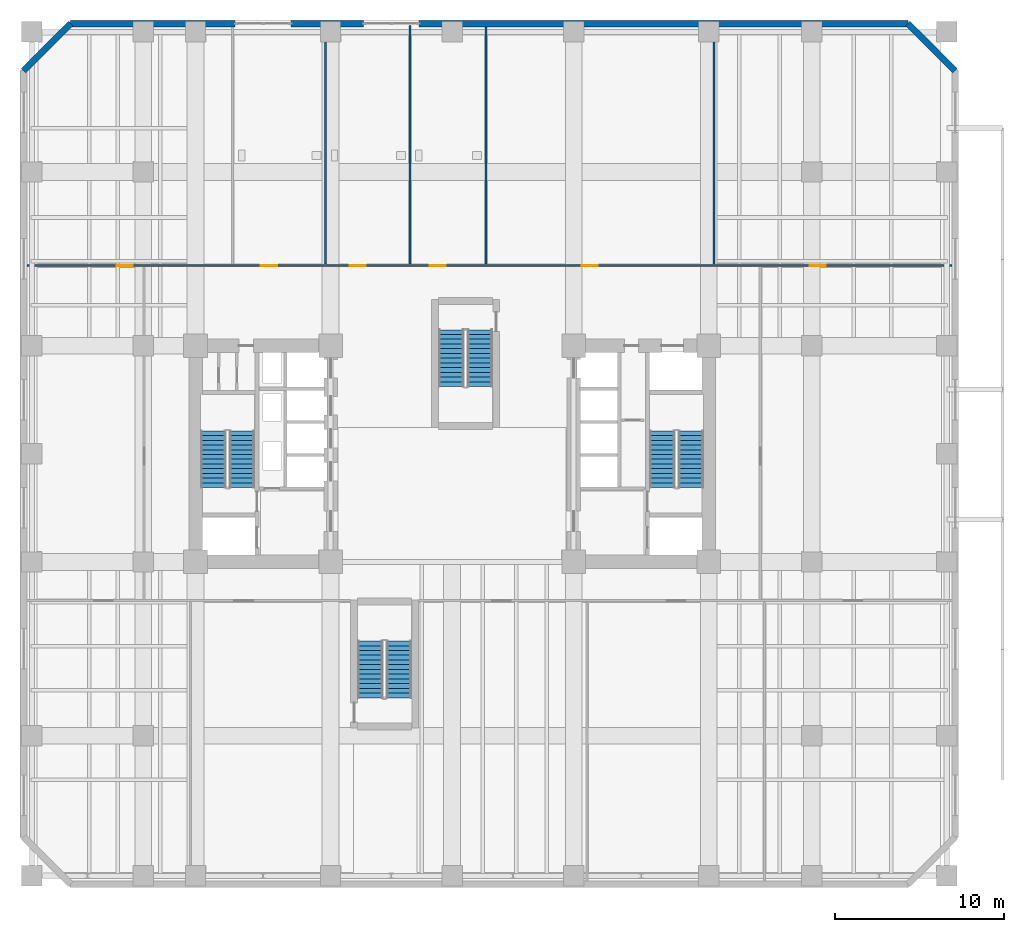
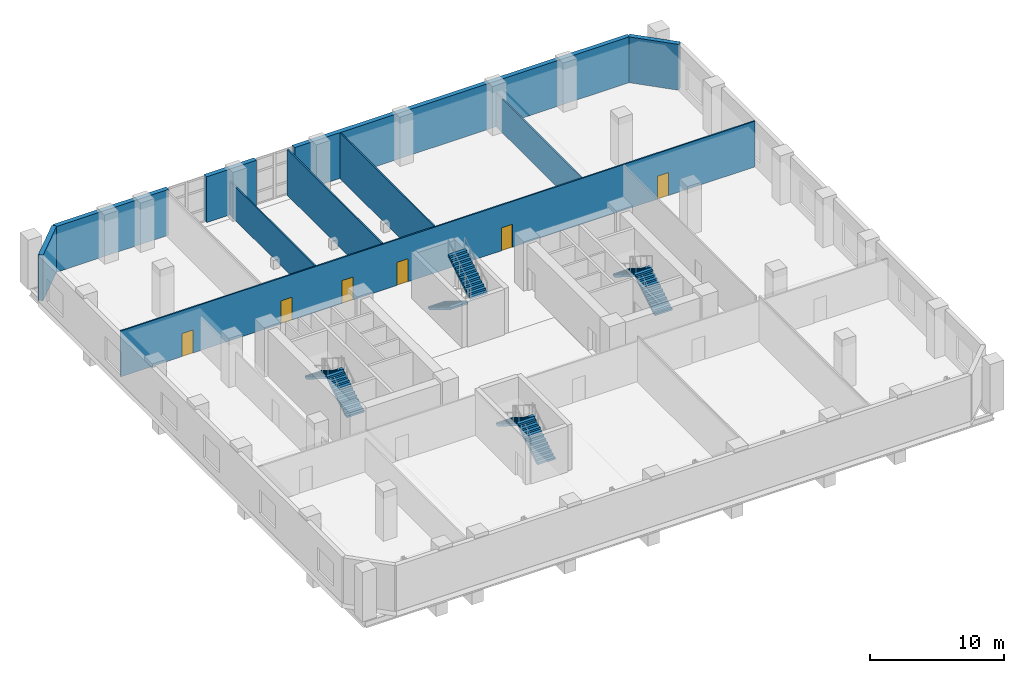
# One storey, part 9 of 15: 10 walls, 8 stair flights, 6 doors, 6 openings, 4 elements without a shape of their own.
"""IFC4 building model written with IfcOpenShell, lengths in metres."""

from ifc_helpers import new_model, si_unit, direction, frame, frame_2d, origin, place, context, subcontext, project, spatial, polyline, rectangle, outline, extrude, material, layer, layer_set, type_object, element, fill, aggregate, save


model = new_model("IFC4")

# Units and contexts
model_context = context("Model", 3, precision=1e-05, world=origin(), true_north=direction((0.0, 1.0)))
body_context = subcontext(model_context, "Body", "Model", "MODEL_VIEW")
ifc_project = project(units=[si_unit("LENGTHUNIT", "METRE"), si_unit("AREAUNIT", "SQUARE_METRE"), si_unit("VOLUMEUNIT", "CUBIC_METRE"), si_unit("PLANEANGLEUNIT", "RADIAN"), si_unit("MASSUNIT", "GRAM", prefix="KILO")], contexts=[model_context])

# Site, building, storey
site_placement = place(None, origin())
site = spatial("IfcSite", under=ifc_project, at=site_placement, CompositionType="ELEMENT")
building_placement = place(site_placement, origin())
building = spatial("IfcBuilding", under=site, at=building_placement, Name="Kranthara Brick Stack", CompositionType="ELEMENT")
storey_placement = place(building_placement, frame((0.0, 0.0, 5.39990234375)))
storey = spatial("IfcBuildingStorey", under=building, at=storey_placement, Name="L01", CompositionType="ELEMENT", Elevation=5.39990234375)

# Walls
ifc_material_1 = material(Name="Kiln-fired clay brick masonry M15", Category="masonry")
ifc_layer_1 = layer(ifc_material_1, 0.3798828125)
ifc_layer_set_1 = layer_set([ifc_layer_1], Name="Kiln-fired clay brick masonry M15")
wall_type_1 = type_object("IfcWallType", Name="WL-BRK-PIER-380", PredefinedType="STANDARD", material=ifc_layer_set_1)
wall_1_placement = place(storey_placement, frame((2.610107421875, 49.89990234375, 0.0), z_axis=(0.0, 0.0, 1.0), x_axis=(0.707075841688, 0.707137719332, 0.0)))
element("IfcWall", 1, at=wall_1_placement, inside=storey, type_object=wall_type_1, Name="L01 Exterior Brick Facade Wall NW 1", PredefinedType="STANDARD", context=body_context, shape_type="SweptSolid", body=[
    extrude(rectangle(XDim=3.945556640625, YDim=0.3798828125, at=frame_2d((1.97265625, 0.0))), origin(), (0.0, 0.0, 1.0), 4.18017578125),
])
wall_2_placement = place(storey_placement, frame((5.39990234375, 52.68994140625, 0.0), z_axis=(0.0, 0.0, 1.0), x_axis=(1.0, 0.0, 0.0)))
element("IfcWall", 2, at=wall_2_placement, inside=storey, type_object=wall_type_1, Name="L01 Exterior Brick Facade Wall NORTH 1", PredefinedType="STANDARD", context=body_context, shape_type="SweptSolid", body=[
    extrude(rectangle(XDim=9.75, YDim=0.3798828125, at=frame_2d((4.875, 0.0))), origin(), (0.0, 0.0, 1.0), 4.18017578125),
])
wall_3_placement = place(storey_placement, frame((18.449951171875, 52.68994140625, 0.0), z_axis=(0.0, 0.0, 1.0), x_axis=(1.0, 0.0, 0.0)))
element("IfcWall", 3, at=wall_3_placement, inside=storey, type_object=wall_type_1, Name="L01 Exterior Brick Facade Wall NORTH 2", PredefinedType="STANDARD", context=body_context, shape_type="SweptSolid", body=[
    extrude(rectangle(XDim=4.300048828125, YDim=0.3798828125, at=frame_2d((2.14990234375, 0.0))), origin(), (0.0, 0.0, 1.0), 4.18017578125),
])
wall_4_placement = place(storey_placement, frame((26.050048828125, 52.68994140625, 0.0), z_axis=(0.0, 0.0, 1.0), x_axis=(1.0, 0.0, 0.0)))
element("IfcWall", 4, at=wall_4_placement, inside=storey, type_object=wall_type_1, Name="L01 Exterior Brick Facade Wall NORTH 3", PredefinedType="STANDARD", context=body_context, shape_type="SweptSolid", body=[
    extrude(rectangle(XDim=28.949951171875, YDim=0.3798828125, at=frame_2d((14.47509765625, 0.0))), origin(), (0.0, 0.0, 1.0), 4.18017578125),
])
wall_5_placement = place(storey_placement, frame((55.0, 52.68994140625, 0.0), z_axis=(0.0, 0.0, 1.0), x_axis=(0.707106781187, -0.707106781187, 0.0)))
element("IfcWall", 5, at=wall_5_placement, inside=storey, type_object=wall_type_1, Name="L01 Exterior Brick Facade Wall NE 1", PredefinedType="STANDARD", context=body_context, shape_type="SweptSolid", body=[
    extrude(rectangle(XDim=3.94580078125, YDim=0.3798828125, at=frame_2d((1.972900390625, 0.0))), origin(), (0.0, 0.0, 1.0), 4.18017578125),
])

# Wall, openings, doors
ifc_material_2 = material(Name="Acoustic gypsum plasterboard partition", Category="other")
ifc_layer_2 = layer(ifc_material_2, 0.1201171875)
ifc_layer_set_2 = layer_set([ifc_layer_2], Name="Acoustic gypsum plasterboard partition")
wall_type_2 = type_object("IfcWallType", Name="WL-PART-120", PredefinedType="PARTITIONING", material=ifc_layer_set_2)
wall_6_placement = place(storey_placement, frame((2.804931640625, 38.35009765625, 0.0), z_axis=(0.0, 0.0, 1.0), x_axis=(1.0, 0.0, 0.0)))
wall_6 = element("IfcWall", 6, at=wall_6_placement, inside=storey, type_object=wall_type_2, Name="L01 Interior Partition 009", PredefinedType="PARTITIONING", context=body_context, shape_type="SweptSolid", body=[
    extrude(rectangle(XDim=54.7900390625, YDim=0.1201171875, at=frame_2d((27.39501953125, 0.0))), origin(), (0.0, 0.0, 1.0), 4.18017578125),
])
opening_1_placement = place(wall_6_placement, frame((5.320068359375, 0.0, 0.0)))
opening_1 = element("IfcOpeningElement", 7, at=opening_1_placement, cuts=wall_6, Name="Opening D14", PredefinedType="OPENING", context=body_context, shape_type="SweptSolid", body=[
    extrude(rectangle(XDim=0.949951171875, YDim=2.10009765625, at=frame_2d((0.47509765625, 1.050048828125))), frame((0.0, 0.070068359375, 0.0), z_axis=(0.0, -1.0, 0.0), x_axis=(1.0, 0.0, 0.0)), (0.0, 0.0, 1.0), 0.14013671875),
])
opening_2_placement = place(wall_6_placement, frame((13.8701171875, 0.0, 0.0)))
opening_2 = element("IfcOpeningElement", 8, at=opening_2_placement, cuts=wall_6, Name="Opening D14", PredefinedType="OPENING", context=body_context, shape_type="SweptSolid", body=[
    extrude(rectangle(XDim=0.949951171875, YDim=2.10009765625, at=frame_2d((0.47509765625, 1.050048828125))), frame((0.0, 0.070068359375, 0.0), z_axis=(0.0, -1.0, 0.0), x_axis=(1.0, 0.0, 0.0)), (0.0, 0.0, 1.0), 0.14013671875),
])
opening_3_placement = place(wall_6_placement, frame((19.1201171875, 0.0, 0.0)))
opening_3 = element("IfcOpeningElement", 9, at=opening_3_placement, cuts=wall_6, Name="Opening D14", PredefinedType="OPENING", context=body_context, shape_type="SweptSolid", body=[
    extrude(rectangle(XDim=0.949951171875, YDim=2.10009765625, at=frame_2d((0.47509765625, 1.050048828125))), frame((0.0, 0.070068359375, 0.0), z_axis=(0.0, -1.0, 0.0), x_axis=(1.0, 0.0, 0.0)), (0.0, 0.0, 1.0), 0.14013671875),
])
opening_4_placement = place(wall_6_placement, frame((23.8701171875, 0.0, 0.0)))
opening_4 = element("IfcOpeningElement", 10, at=opening_4_placement, cuts=wall_6, Name="Opening D14", PredefinedType="OPENING", context=body_context, shape_type="SweptSolid", body=[
    extrude(rectangle(XDim=0.949951171875, YDim=2.10009765625, at=frame_2d((0.47509765625, 1.050048828125))), frame((0.0, 0.070068359375, 0.0), z_axis=(0.0, -1.0, 0.0), x_axis=(1.0, 0.0, 0.0)), (0.0, 0.0, 1.0), 0.14013671875),
])
opening_5_placement = place(wall_6_placement, frame((32.8701171875, 0.0, 0.0)))
opening_5 = element("IfcOpeningElement", 11, at=opening_5_placement, cuts=wall_6, Name="Opening D14", PredefinedType="OPENING", context=body_context, shape_type="SweptSolid", body=[
    extrude(rectangle(XDim=0.949951171875, YDim=2.10009765625, at=frame_2d((0.47509765625, 1.050048828125))), frame((0.0, 0.070068359375, 0.0), z_axis=(0.0, -1.0, 0.0), x_axis=(1.0, 0.0, 0.0)), (0.0, 0.0, 1.0), 0.14013671875),
])
opening_6_placement = place(wall_6_placement, frame((46.3701171875, 0.0, 0.0)))
opening_6 = element("IfcOpeningElement", 12, at=opening_6_placement, cuts=wall_6, Name="Opening D14", PredefinedType="OPENING", context=body_context, shape_type="SweptSolid", body=[
    extrude(rectangle(XDim=0.949951171875, YDim=2.10009765625, at=frame_2d((0.47509765625, 1.050048828125))), frame((0.0, 0.070068359375, 0.0), z_axis=(0.0, -1.0, 0.0), x_axis=(1.0, 0.0, 0.0)), (0.0, 0.0, 1.0), 0.14013671875),
])
ifc_material_3 = material(Name="Solid-core hardwood timber leaf in steel frame", Category="steel")
door_type = type_object("IfcDoorType", Name="DR-INT-950", OperationType="NOTDEFINED", PredefinedType="DOOR", material=ifc_material_3)
door_1_placement = place(opening_1_placement, origin())
door_1 = element("IfcDoor", 13, at=door_1_placement, inside=storey, type_object=door_type, Name="L01 Co-Working Open Workspace 09", OperationType="SINGLE_SWING_LEFT", OverallHeight=2.10009765625, OverallWidth=0.949951171875, PredefinedType="DOOR", context=body_context, shape_type="SweptSolid", body=[
    extrude(rectangle(XDim=0.949951171875, YDim=2.10009765625, at=frame_2d((0.47509765625, 1.050048828125))), frame((0.0, 0.02490234375, 0.0), z_axis=(0.0, -1.0, 0.0), x_axis=(1.0, 0.0, 0.0)), (0.0, 0.0, 1.0), 0.050048828125),
])
fill(opening_1, door_1)
door_2_placement = place(opening_2_placement, origin())
door_2 = element("IfcDoor", 14, at=door_2_placement, inside=storey, type_object=door_type, Name="L01 Male Restroom WC 10", OperationType="SINGLE_SWING_RIGHT", OverallHeight=2.10009765625, OverallWidth=0.949951171875, PredefinedType="DOOR", context=body_context, shape_type="SweptSolid", body=[
    extrude(rectangle(XDim=0.949951171875, YDim=2.10009765625, at=frame_2d((0.47509765625, 1.050048828125))), frame((0.0, 0.02490234375, 0.0), z_axis=(0.0, -1.0, 0.0), x_axis=(1.0, 0.0, 0.0)), (0.0, 0.0, 1.0), 0.050048828125),
])
fill(opening_2, door_2)
door_3_placement = place(opening_3_placement, origin())
door_3 = element("IfcDoor", 15, at=door_3_placement, inside=storey, type_object=door_type, Name="L01 Female Restroom WC 11", OperationType="SINGLE_SWING_LEFT", OverallHeight=2.10009765625, OverallWidth=0.949951171875, PredefinedType="DOOR", context=body_context, shape_type="SweptSolid", body=[
    extrude(rectangle(XDim=0.949951171875, YDim=2.10009765625, at=frame_2d((0.47509765625, 1.050048828125))), frame((0.0, 0.02490234375, 0.0), z_axis=(0.0, -1.0, 0.0), x_axis=(1.0, 0.0, 0.0)), (0.0, 0.0, 1.0), 0.050048828125),
])
fill(opening_3, door_3)
door_4_placement = place(opening_4_placement, origin())
door_4 = element("IfcDoor", 16, at=door_4_placement, inside=storey, type_object=door_type, Name="L01 Accessible Restroom WC 12", OperationType="SINGLE_SWING_RIGHT", OverallHeight=2.10009765625, OverallWidth=0.949951171875, PredefinedType="DOOR", context=body_context, shape_type="SweptSolid", body=[
    extrude(rectangle(XDim=0.949951171875, YDim=2.10009765625, at=frame_2d((0.47509765625, 1.050048828125))), frame((0.0, 0.02490234375, 0.0), z_axis=(0.0, -1.0, 0.0), x_axis=(1.0, 0.0, 0.0)), (0.0, 0.0, 1.0), 0.050048828125),
])
fill(opening_4, door_4)
door_5_placement = place(opening_5_placement, origin())
door_5 = element("IfcDoor", 17, at=door_5_placement, inside=storey, type_object=door_type, Name="L01 Business Cafe Pantry 13", OperationType="SINGLE_SWING_LEFT", OverallHeight=2.10009765625, OverallWidth=0.949951171875, PredefinedType="DOOR", context=body_context, shape_type="SweptSolid", body=[
    extrude(rectangle(XDim=0.949951171875, YDim=2.10009765625, at=frame_2d((0.47509765625, 1.050048828125))), frame((0.0, 0.02490234375, 0.0), z_axis=(0.0, -1.0, 0.0), x_axis=(1.0, 0.0, 0.0)), (0.0, 0.0, 1.0), 0.050048828125),
])
fill(opening_5, door_5)
door_6_placement = place(opening_6_placement, origin())
door_6 = element("IfcDoor", 18, at=door_6_placement, inside=storey, type_object=door_type, Name="L01 Innovation Studio 14", OperationType="SINGLE_SWING_RIGHT", OverallHeight=2.10009765625, OverallWidth=0.949951171875, PredefinedType="DOOR", context=body_context, shape_type="SweptSolid", body=[
    extrude(rectangle(XDim=0.949951171875, YDim=2.10009765625, at=frame_2d((0.47509765625, 1.050048828125))), frame((0.0, 0.02490234375, 0.0), z_axis=(0.0, -1.0, 0.0), x_axis=(1.0, 0.0, 0.0)), (0.0, 0.0, 1.0), 0.050048828125),
])
fill(opening_6, door_6)

# Walls
wall_7_placement = place(storey_placement, frame((20.5, 38.449951171875, 0.0), z_axis=(0.0, 0.0, 1.0), x_axis=(0.0, 1.0, 0.0)))
element("IfcWall", 19, at=wall_7_placement, inside=storey, type_object=wall_type_2, Name="L01 Interior Partition 011", PredefinedType="PARTITIONING", context=body_context, shape_type="SweptSolid", body=[
    extrude(rectangle(XDim=14.045166015625, YDim=0.1201171875, at=frame_2d((7.0224609375, 0.0))), origin(), (0.0, 0.0, 1.0), 3.065185546875),
])
wall_8_placement = place(storey_placement, frame((25.5, 38.449951171875, 0.0), z_axis=(0.0, 0.0, 1.0), x_axis=(0.0, 1.0, 0.0)))
element("IfcWall", 20, at=wall_8_placement, inside=storey, type_object=wall_type_2, Name="L01 Interior Partition 012", PredefinedType="PARTITIONING", context=body_context, shape_type="SweptSolid", body=[
    extrude(rectangle(XDim=14.125, YDim=0.1201171875, at=frame_2d((7.0625, 0.0))), origin(), (0.0, 0.0, 1.0), 4.18017578125),
])
wall_9_placement = place(storey_placement, frame((30.0, 38.449951171875, 0.0), z_axis=(0.0, 0.0, 1.0), x_axis=(0.0, 1.0, 0.0)))
element("IfcWall", 21, at=wall_9_placement, inside=storey, type_object=wall_type_2, Name="L01 Interior Partition 013", PredefinedType="PARTITIONING", context=body_context, shape_type="SweptSolid", body=[
    extrude(rectangle(XDim=14.045166015625, YDim=0.1201171875, at=frame_2d((7.0224609375, 0.0))), origin(), (0.0, 0.0, 1.0), 4.18017578125),
])
wall_10_placement = place(storey_placement, frame((43.5, 38.449951171875, 0.0), z_axis=(0.0, 0.0, 1.0), x_axis=(0.0, 1.0, 0.0)))
element("IfcWall", 22, at=wall_10_placement, inside=storey, type_object=wall_type_2, Name="L01 Interior Partition 014", PredefinedType="PARTITIONING", context=body_context, shape_type="SweptSolid", body=[
    extrude(rectangle(XDim=14.045166015625, YDim=0.1201171875, at=frame_2d((7.0224609375, 0.0))), origin(), (0.0, 0.0, 1.0), 3.065185546875),
])

# Stair, stair flights
ifc_material_4 = material(Name="Concrete C45/55", Category="concrete")
stair_type = type_object("IfcStairType", Name="ST-CORE-26R", PredefinedType="HALF_TURN_STAIR", material=ifc_material_4)
stair_1_placement = place(storey_placement, origin())
stair_1 = element("IfcStair", 23, at=stair_1_placement, inside=storey, type_object=stair_type, Name="L01 West Core Protected Exit Stair ST01", PredefinedType="HALF_TURN_STAIR")
ifc_material_5 = material(Name="Concrete C45/55", Category="concrete")
stair_flight_type = type_object("IfcStairFlightType", Name="SFL-RC-26R", PredefinedType="STRAIGHT", material=ifc_material_5)
stair_flight_1_placement = place(storey_placement, frame((15.550048828125, 25.199951171875, 0.0), z_axis=(0.0, 0.0, 1.0), x_axis=(0.0, 1.0, 0.0)))
stair_flight_1 = element("IfcStairFlight", 24, at=stair_flight_1_placement, type_object=stair_flight_type, Name="ST01 flight 1", NumberOfRisers=13, NumberOfTreads=12, PredefinedType="STRAIGHT", RiserHeight=0.173076923, TreadLength=0.28, context=body_context, shape_type="SweptSolid", body=[
    extrude(outline(polyline([(0.0, 0.0), (0.0, 0.173095703125), (0.280029296875, 0.173095703125), (0.280029296875, 0.34619140625), (0.56005859375, 0.34619140625), (0.56005859375, 0.519287109375), (0.840087890625, 0.519287109375), (0.840087890625, 0.6923828125), (1.1201171875, 0.6923828125), (1.1201171875, 0.865478515625), (1.39990234375, 0.865478515625), (1.39990234375, 1.03857421875), (1.679931640625, 1.03857421875), (1.679931640625, 1.21142578125), (1.9599609375, 1.21142578125), (1.9599609375, 1.384521484375), (2.239990234375, 1.384521484375), (2.239990234375, 1.5576171875), (2.52001953125, 1.5576171875), (2.52001953125, 1.730712890625), (2.800048828125, 1.730712890625), (2.800048828125, 1.90380859375), (3.080078125, 1.90380859375), (3.080078125, 2.076904296875), (3.360107421875, 2.076904296875), (3.360107421875, 2.25), (3.360107421875, 1.900634765625), (0.28515625, 0.0), (0.0, 0.0)])), frame((0.0, 0.75, 0.0), z_axis=(0.0, -1.0, 0.0), x_axis=(1.0, 0.0, 0.0)), (0.0, 0.0, 1.0), 1.5),
])
stair_flight_2_placement = place(storey_placement, frame((13.85009765625, 28.56005859375, 2.25), z_axis=(0.0, 0.0, 1.0), x_axis=(0.0, -1.0, 0.0)))
stair_flight_2 = element("IfcStairFlight", 25, at=stair_flight_2_placement, type_object=stair_flight_type, Name="ST01 flight 2", NumberOfRisers=13, NumberOfTreads=12, PredefinedType="STRAIGHT", RiserHeight=0.173076923, TreadLength=0.28, context=body_context, shape_type="SweptSolid", body=[
    extrude(outline(polyline([(0.0, 0.0), (0.0, 0.173095703125), (0.280029296875, 0.173095703125), (0.280029296875, 0.34619140625), (0.56005859375, 0.34619140625), (0.56005859375, 0.519287109375), (0.840087890625, 0.519287109375), (0.840087890625, 0.6923828125), (1.1201171875, 0.6923828125), (1.1201171875, 0.865478515625), (1.39990234375, 0.865478515625), (1.39990234375, 1.03857421875), (1.679931640625, 1.03857421875), (1.679931640625, 1.21142578125), (1.9599609375, 1.21142578125), (1.9599609375, 1.384521484375), (2.239990234375, 1.384521484375), (2.239990234375, 1.5576171875), (2.52001953125, 1.5576171875), (2.52001953125, 1.730712890625), (2.800048828125, 1.730712890625), (2.800048828125, 1.90380859375), (3.080078125, 1.90380859375), (3.080078125, 2.076904296875), (3.360107421875, 2.076904296875), (3.360107421875, 2.25), (3.360107421875, 1.900634765625), (0.28515625, 0.0), (0.0, 0.0)])), frame((0.0, 0.75, 0.0), z_axis=(0.0, -1.0, 0.0), x_axis=(1.0, 0.0, 0.0)), (0.0, 0.0, 1.0), 1.5),
])
aggregate(stair_1, [stair_flight_1, stair_flight_2])

stair_2_placement = place(storey_placement, origin())
stair_2 = element("IfcStair", 26, at=stair_2_placement, inside=storey, type_object=stair_type, Name="L01 East Core Protected Exit Stair ST02", PredefinedType="HALF_TURN_STAIR")
stair_flight_3_placement = place(storey_placement, frame((42.14990234375, 25.199951171875, 0.0), z_axis=(0.0, 0.0, 1.0), x_axis=(0.0, 1.0, 0.0)))
stair_flight_3 = element("IfcStairFlight", 27, at=stair_flight_3_placement, type_object=stair_flight_type, Name="ST02 flight 1", NumberOfRisers=13, NumberOfTreads=12, PredefinedType="STRAIGHT", RiserHeight=0.173076923, TreadLength=0.28, context=body_context, shape_type="SweptSolid", body=[
    extrude(outline(polyline([(0.0, 0.0), (0.0, 0.173095703125), (0.280029296875, 0.173095703125), (0.280029296875, 0.34619140625), (0.56005859375, 0.34619140625), (0.56005859375, 0.519287109375), (0.840087890625, 0.519287109375), (0.840087890625, 0.6923828125), (1.1201171875, 0.6923828125), (1.1201171875, 0.865478515625), (1.39990234375, 0.865478515625), (1.39990234375, 1.03857421875), (1.679931640625, 1.03857421875), (1.679931640625, 1.21142578125), (1.9599609375, 1.21142578125), (1.9599609375, 1.384521484375), (2.239990234375, 1.384521484375), (2.239990234375, 1.5576171875), (2.52001953125, 1.5576171875), (2.52001953125, 1.730712890625), (2.800048828125, 1.730712890625), (2.800048828125, 1.90380859375), (3.080078125, 1.90380859375), (3.080078125, 2.076904296875), (3.360107421875, 2.076904296875), (3.360107421875, 2.25), (3.360107421875, 1.900634765625), (0.28515625, 0.0), (0.0, 0.0)])), frame((0.0, 0.75, 0.0), z_axis=(0.0, -1.0, 0.0), x_axis=(1.0, 0.0, 0.0)), (0.0, 0.0, 1.0), 1.5),
])
stair_flight_4_placement = place(storey_placement, frame((40.449951171875, 28.56005859375, 2.25), z_axis=(0.0, 0.0, 1.0), x_axis=(0.0, -1.0, 0.0)))
stair_flight_4 = element("IfcStairFlight", 28, at=stair_flight_4_placement, type_object=stair_flight_type, Name="ST02 flight 2", NumberOfRisers=13, NumberOfTreads=12, PredefinedType="STRAIGHT", RiserHeight=0.173076923, TreadLength=0.28, context=body_context, shape_type="SweptSolid", body=[
    extrude(outline(polyline([(0.0, 0.0), (0.0, 0.173095703125), (0.280029296875, 0.173095703125), (0.280029296875, 0.34619140625), (0.56005859375, 0.34619140625), (0.56005859375, 0.519287109375), (0.840087890625, 0.519287109375), (0.840087890625, 0.6923828125), (1.1201171875, 0.6923828125), (1.1201171875, 0.865478515625), (1.39990234375, 0.865478515625), (1.39990234375, 1.03857421875), (1.679931640625, 1.03857421875), (1.679931640625, 1.21142578125), (1.9599609375, 1.21142578125), (1.9599609375, 1.384521484375), (2.239990234375, 1.384521484375), (2.239990234375, 1.5576171875), (2.52001953125, 1.5576171875), (2.52001953125, 1.730712890625), (2.800048828125, 1.730712890625), (2.800048828125, 1.90380859375), (3.080078125, 1.90380859375), (3.080078125, 2.076904296875), (3.360107421875, 2.076904296875), (3.360107421875, 2.25), (3.360107421875, 1.900634765625), (0.28515625, 0.0), (0.0, 0.0)])), frame((0.0, 0.75, 0.0), z_axis=(0.0, -1.0, 0.0), x_axis=(1.0, 0.0, 0.0)), (0.0, 0.0, 1.0), 1.5),
])
aggregate(stair_2, [stair_flight_3, stair_flight_4])

stair_3_placement = place(storey_placement, origin())
stair_3 = element("IfcStair", 29, at=stair_3_placement, inside=storey, type_object=stair_type, Name="L01 Podium South Protected Exit Stair ST03", PredefinedType="HALF_TURN_STAIR")
stair_flight_5_placement = place(storey_placement, frame((24.85009765625, 12.75, 0.0), z_axis=(0.0, 0.0, 1.0), x_axis=(0.0, 1.0, 0.0)))
stair_flight_5 = element("IfcStairFlight", 30, at=stair_flight_5_placement, type_object=stair_flight_type, Name="ST03 flight 1", NumberOfRisers=13, NumberOfTreads=12, PredefinedType="STRAIGHT", RiserHeight=0.173076923, TreadLength=0.28, context=body_context, shape_type="SweptSolid", body=[
    extrude(outline(polyline([(0.0, 0.0), (0.0, 0.173095703125), (0.280029296875, 0.173095703125), (0.280029296875, 0.34619140625), (0.56005859375, 0.34619140625), (0.56005859375, 0.519287109375), (0.840087890625, 0.519287109375), (0.840087890625, 0.6923828125), (1.1201171875, 0.6923828125), (1.1201171875, 0.865478515625), (1.39990234375, 0.865478515625), (1.39990234375, 1.03857421875), (1.679931640625, 1.03857421875), (1.679931640625, 1.21142578125), (1.9599609375, 1.21142578125), (1.9599609375, 1.384521484375), (2.239990234375, 1.384521484375), (2.239990234375, 1.5576171875), (2.52001953125, 1.5576171875), (2.52001953125, 1.730712890625), (2.800048828125, 1.730712890625), (2.800048828125, 1.90380859375), (3.080078125, 1.90380859375), (3.080078125, 2.076904296875), (3.360107421875, 2.076904296875), (3.360107421875, 2.25), (3.360107421875, 1.900634765625), (0.28515625, 0.0), (0.0, 0.0)])), frame((0.0, 0.75, 0.0), z_axis=(0.0, -1.0, 0.0), x_axis=(1.0, 0.0, 0.0)), (0.0, 0.0, 1.0), 1.5),
])
stair_flight_6_placement = place(storey_placement, frame((23.14990234375, 16.110107421875, 2.25), z_axis=(0.0, 0.0, 1.0), x_axis=(0.0, -1.0, 0.0)))
stair_flight_6 = element("IfcStairFlight", 31, at=stair_flight_6_placement, type_object=stair_flight_type, Name="ST03 flight 2", NumberOfRisers=13, NumberOfTreads=12, PredefinedType="STRAIGHT", RiserHeight=0.173076923, TreadLength=0.28, context=body_context, shape_type="SweptSolid", body=[
    extrude(outline(polyline([(0.0, 0.0), (0.0, 0.173095703125), (0.280029296875, 0.173095703125), (0.280029296875, 0.34619140625), (0.56005859375, 0.34619140625), (0.56005859375, 0.519287109375), (0.840087890625, 0.519287109375), (0.840087890625, 0.6923828125), (1.1201171875, 0.6923828125), (1.1201171875, 0.865478515625), (1.39990234375, 0.865478515625), (1.39990234375, 1.03857421875), (1.679931640625, 1.03857421875), (1.679931640625, 1.21142578125), (1.9599609375, 1.21142578125), (1.9599609375, 1.384521484375), (2.239990234375, 1.384521484375), (2.239990234375, 1.5576171875), (2.52001953125, 1.5576171875), (2.52001953125, 1.730712890625), (2.800048828125, 1.730712890625), (2.800048828125, 1.90380859375), (3.080078125, 1.90380859375), (3.080078125, 2.076904296875), (3.360107421875, 2.076904296875), (3.360107421875, 2.25), (3.360107421875, 1.900634765625), (0.28515625, 0.0), (0.0, 0.0)])), frame((0.0, 0.75, 0.0), z_axis=(0.0, -1.0, 0.0), x_axis=(1.0, 0.0, 0.0)), (0.0, 0.0, 1.0), 1.5),
])
aggregate(stair_3, [stair_flight_5, stair_flight_6])

stair_4_placement = place(storey_placement, origin())
stair_4 = element("IfcStair", 32, at=stair_4_placement, inside=storey, type_object=stair_type, Name="L01 Podium North Protected Exit Stair ST04", PredefinedType="HALF_TURN_STAIR")
stair_flight_7_placement = place(storey_placement, frame((27.949951171875, 34.550048828125, 0.0), z_axis=(0.0, 0.0, 1.0), x_axis=(0.0, -1.0, 0.0)))
stair_flight_7 = element("IfcStairFlight", 33, at=stair_flight_7_placement, type_object=stair_flight_type, Name="ST04 flight 1", NumberOfRisers=13, NumberOfTreads=12, PredefinedType="STRAIGHT", RiserHeight=0.173076923, TreadLength=0.28, context=body_context, shape_type="SweptSolid", body=[
    extrude(outline(polyline([(0.0, 0.0), (0.0, 0.173095703125), (0.280029296875, 0.173095703125), (0.280029296875, 0.34619140625), (0.56005859375, 0.34619140625), (0.56005859375, 0.519287109375), (0.840087890625, 0.519287109375), (0.840087890625, 0.6923828125), (1.1201171875, 0.6923828125), (1.1201171875, 0.865478515625), (1.39990234375, 0.865478515625), (1.39990234375, 1.03857421875), (1.679931640625, 1.03857421875), (1.679931640625, 1.21142578125), (1.9599609375, 1.21142578125), (1.9599609375, 1.384521484375), (2.239990234375, 1.384521484375), (2.239990234375, 1.5576171875), (2.52001953125, 1.5576171875), (2.52001953125, 1.730712890625), (2.800048828125, 1.730712890625), (2.800048828125, 1.90380859375), (3.080078125, 1.90380859375), (3.080078125, 2.076904296875), (3.360107421875, 2.076904296875), (3.360107421875, 2.25), (3.360107421875, 1.900634765625), (0.28515625, 0.0), (0.0, 0.0)])), frame((0.0, 0.75, 0.0), z_axis=(0.0, -1.0, 0.0), x_axis=(1.0, 0.0, 0.0)), (0.0, 0.0, 1.0), 1.5),
])
stair_flight_8_placement = place(storey_placement, frame((29.64990234375, 31.18994140625, 2.25), z_axis=(0.0, 0.0, 1.0), x_axis=(0.0, 1.0, 0.0)))
stair_flight_8 = element("IfcStairFlight", 34, at=stair_flight_8_placement, type_object=stair_flight_type, Name="ST04 flight 2", NumberOfRisers=13, NumberOfTreads=12, PredefinedType="STRAIGHT", RiserHeight=0.173076923, TreadLength=0.28, context=body_context, shape_type="SweptSolid", body=[
    extrude(outline(polyline([(0.0, 0.0), (0.0, 0.173095703125), (0.280029296875, 0.173095703125), (0.280029296875, 0.34619140625), (0.56005859375, 0.34619140625), (0.56005859375, 0.519287109375), (0.840087890625, 0.519287109375), (0.840087890625, 0.6923828125), (1.1201171875, 0.6923828125), (1.1201171875, 0.865478515625), (1.39990234375, 0.865478515625), (1.39990234375, 1.03857421875), (1.679931640625, 1.03857421875), (1.679931640625, 1.21142578125), (1.9599609375, 1.21142578125), (1.9599609375, 1.384521484375), (2.239990234375, 1.384521484375), (2.239990234375, 1.5576171875), (2.52001953125, 1.5576171875), (2.52001953125, 1.730712890625), (2.800048828125, 1.730712890625), (2.800048828125, 1.90380859375), (3.080078125, 1.90380859375), (3.080078125, 2.076904296875), (3.360107421875, 2.076904296875), (3.360107421875, 2.25), (3.360107421875, 1.900634765625), (0.28515625, 0.0), (0.0, 0.0)])), frame((0.0, 0.75, 0.0), z_axis=(0.0, -1.0, 0.0), x_axis=(1.0, 0.0, 0.0)), (0.0, 0.0, 1.0), 1.5),
])
aggregate(stair_4, [stair_flight_7, stair_flight_8])

save(model, "model.ifc")
